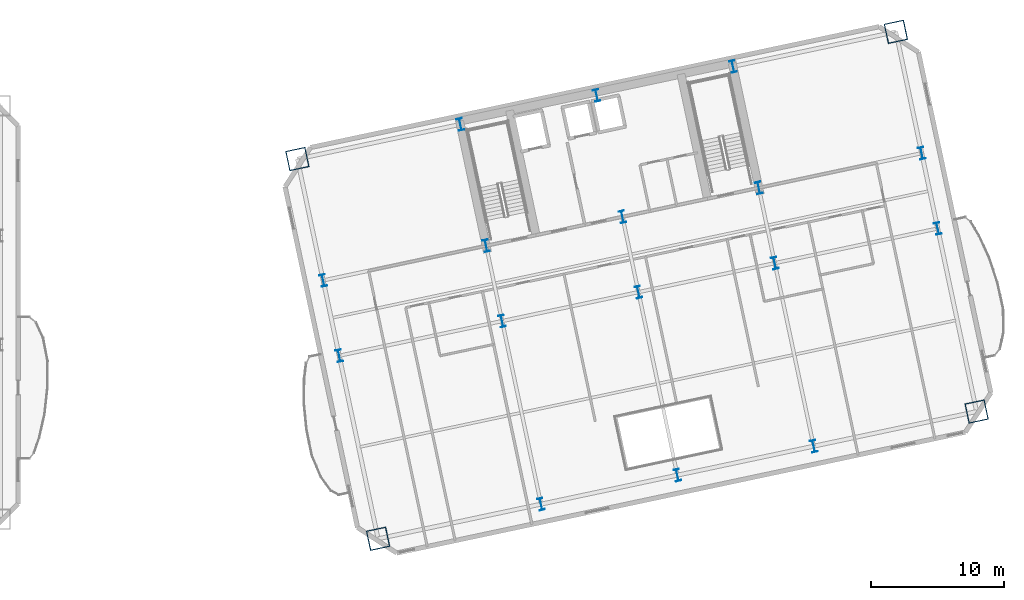
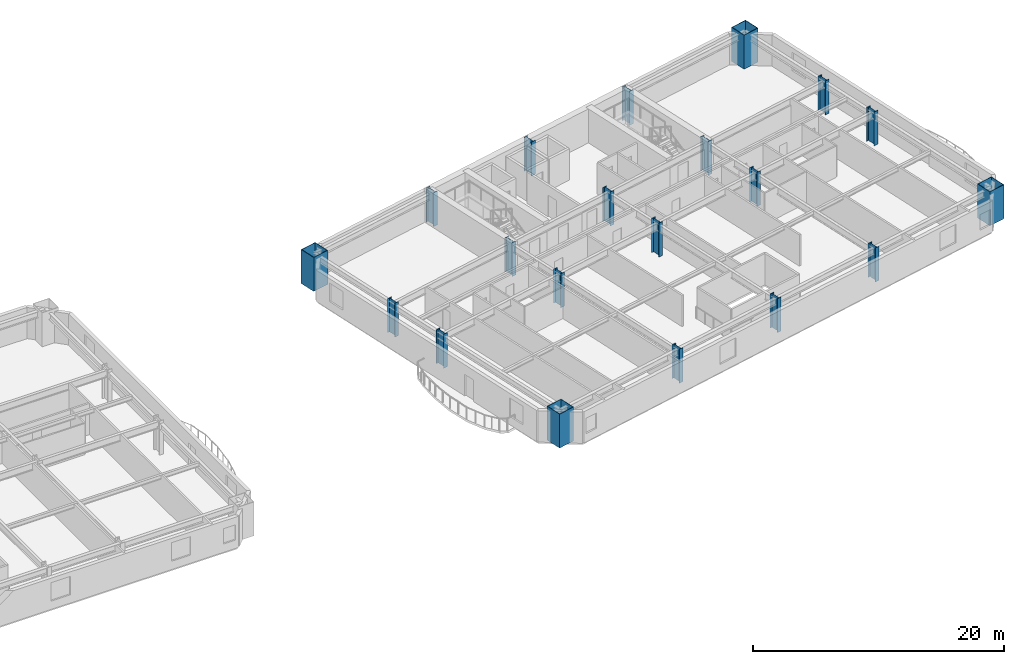
# One storey, part 2 of 16: 20 columns.
"""IFC4 building model written with IfcOpenShell, lengths in metres."""

from ifc_helpers import new_model, si_unit, direction, frame, origin, origin_2d, place, context, subcontext, project, spatial, hollow_rectangle, i_section, extrude, material, material_profile, profile_set, type_object, element, save


model = new_model("IFC4")

# Units and contexts
model_context = context("Model", 3, precision=1e-05, world=origin(), true_north=direction((0.0, 1.0)))
body_context = subcontext(model_context, "Body", "Model", "MODEL_VIEW")
ifc_project = project(units=[si_unit("LENGTHUNIT", "METRE"), si_unit("AREAUNIT", "SQUARE_METRE"), si_unit("VOLUMEUNIT", "CUBIC_METRE"), si_unit("PLANEANGLEUNIT", "RADIAN"), si_unit("MASSUNIT", "GRAM", prefix="KILO")], contexts=[model_context])

# Site, building, storey
site_placement = place(None, origin())
site = spatial("IfcSite", under=ifc_project, at=site_placement, CompositionType="ELEMENT")
building_placement = place(site_placement, origin())
building = spatial("IfcBuilding", under=site, at=building_placement, Name="Haevon Station Towers", CompositionType="ELEMENT")
storey_placement = place(building_placement, frame((0.0, 0.0, 53.699951171875)))
storey = spatial("IfcBuildingStorey", under=building, at=storey_placement, Name="L13", CompositionType="ELEMENT", Elevation=53.699951171875)

# Columns
ifc_material = material(Name="Steel S460", Category="steel")
ifc_material_profile_1 = material_profile(ifc_material, hollow_rectangle(XDim=1.5, YDim=1.5, WallThickness=0.0400390625, at=origin_2d()), Name="BOX-1500x1500x40")
ifc_profile_set_1 = profile_set([ifc_material_profile_1], Name="Steel S460")
column_type_1 = type_object("IfcColumnType", Name="COL-MC2", PredefinedType="COLUMN", material=ifc_profile_set_1)
for number, where, z_axis, x_axis, name in (
    (1, (90.614013671875, 15.367919921875, 0.0), (0.0, 0.0, 1.0), (0.978147600734, 0.207911690818, 0.0), "COL-T2-L13-01-01"),
    (2, (84.53271484375, 43.978759765625, 0.0), (0.0, 0.0, 1.0), (0.978147600734, 0.207911690818, 0.0), "COL-T2-L13-01-04"),
    (3, (135.70654296875, 24.95263671875, 0.0), (0.0, 0.0, 1.0), (0.978147600734, 0.207911690818, 0.0), "COL-T2-L13-05-01"),
    (4, (129.625244140625, 53.5634765625, 0.0), (0.0, 0.0, 1.0), (0.978147600734, 0.207911690818, 0.0), "COL-T2-L13-05-04"),
):
    element("IfcColumn", number, at=place(storey_placement, frame(where, z_axis=z_axis, x_axis=x_axis)), inside=storey, type_object=column_type_1, Name=name, PredefinedType="COLUMN", context=body_context, shape_type="SweptSolid", body=[
        extrude(hollow_rectangle(XDim=1.5, YDim=1.5, WallThickness=0.0400390625, at=origin_2d()), origin(), (0.0, 0.0, 1.0), 3.300048828125),
    ])
ifc_material_profile_2 = material_profile(ifc_material, i_section(OverallWidth=0.39990234375, OverallDepth=0.89990234375, WebThickness=0.02001953125, FlangeThickness=0.035888671875, at=origin_2d()), Name="H-900x400x20x36")
ifc_profile_set_2 = profile_set([ifc_material_profile_2], Name="Steel S460")
column_type_2 = type_object("IfcColumnType", Name="COL-TW1", PredefinedType="COLUMN", material=ifc_profile_set_2)
for number, where, z_axis, x_axis, name in (
    (5, (87.682373046875, 29.159912109375, 0.0), (0.0, 0.0, 1.0), (0.978147600734, 0.207911690818, 0.0), "COL-T2-L13-01-02"),
    (6, (86.4765625, 34.8330078125, 0.0), (0.0, 0.0, 1.0), (0.978147600734, 0.207911690818, 0.0), "COL-T2-L13-01-03"),
    (7, (102.889892578125, 17.977294921875, 0.0), (0.0, 0.0, 1.0), (0.978147600734, 0.207911690818, 0.0), "COL-T2-L13-02-01"),
    (8, (99.958251953125, 31.76904296875, 0.0), (0.0, 0.0, 1.0), (0.978147600734, 0.207911690818, 0.0), "COL-T2-L13-02-02"),
    (9, (98.75244140625, 37.4423828125, 0.0), (0.0, 0.0, 1.0), (0.978147600734, 0.207911690818, 0.0), "COL-T2-L13-02-03"),
    (10, (96.808349609375, 46.588134765625, 0.0), (0.0, 0.0, 1.0), (0.978147600734, 0.207911690818, 0.0), "COL-T2-L13-02-04"),
    (11, (113.160400390625, 20.160400390625, 0.0), (0.0, 0.0, 1.0), (0.978147600734, 0.207911690818, 0.0), "COL-T2-L13-03-01"),
    (12, (110.228759765625, 33.9521484375, 0.0), (0.0, 0.0, 1.0), (0.978147600734, 0.207911690818, 0.0), "COL-T2-L13-03-02"),
    (13, (109.02294921875, 39.62548828125, 0.0), (0.0, 0.0, 1.0), (0.978147600734, 0.207911690818, 0.0), "COL-T2-L13-03-03"),
    (14, (107.078857421875, 48.771240234375, 0.0), (0.0, 0.0, 1.0), (0.978147600734, 0.207911690818, 0.0), "COL-T2-L13-03-04"),
    (15, (123.430908203125, 22.343505859375, 0.0), (0.0, 0.0, 1.0), (0.978147600734, 0.207911690818, 0.0), "COL-T2-L13-04-01"),
    (16, (120.499267578125, 36.13525390625, 0.0), (0.0, 0.0, 1.0), (0.978147600734, 0.207911690818, 0.0), "COL-T2-L13-04-02"),
    (17, (119.29345703125, 41.80859375, 0.0), (0.0, 0.0, 1.0), (0.978147600734, 0.207911690818, 0.0), "COL-T2-L13-04-03"),
    (18, (117.349365234375, 50.954345703125, 0.0), (0.0, 0.0, 1.0), (0.978147600734, 0.207911690818, 0.0), "COL-T2-L13-04-04"),
    (19, (132.775146484375, 38.74462890625, 0.0), (0.0, 0.0, 1.0), (0.978147600734, 0.207911690818, 0.0), "COL-T2-L13-05-02"),
    (20, (131.569091796875, 44.41796875, 0.0), (0.0, 0.0, 1.0), (0.978147600734, 0.207911690818, 0.0), "COL-T2-L13-05-03"),
):
    element("IfcColumn", number, at=place(storey_placement, frame(where, z_axis=z_axis, x_axis=x_axis)), inside=storey, type_object=column_type_2, Name=name, PredefinedType="COLUMN", context=body_context, shape_type="SweptSolid", body=[
        extrude(i_section(OverallWidth=0.39990234375, OverallDepth=0.89990234375, WebThickness=0.02001953125, FlangeThickness=0.035888671875, at=origin_2d()), origin(), (0.0, 0.0, 1.0), 3.300048828125),
    ])

save(model, "model.ifc")
